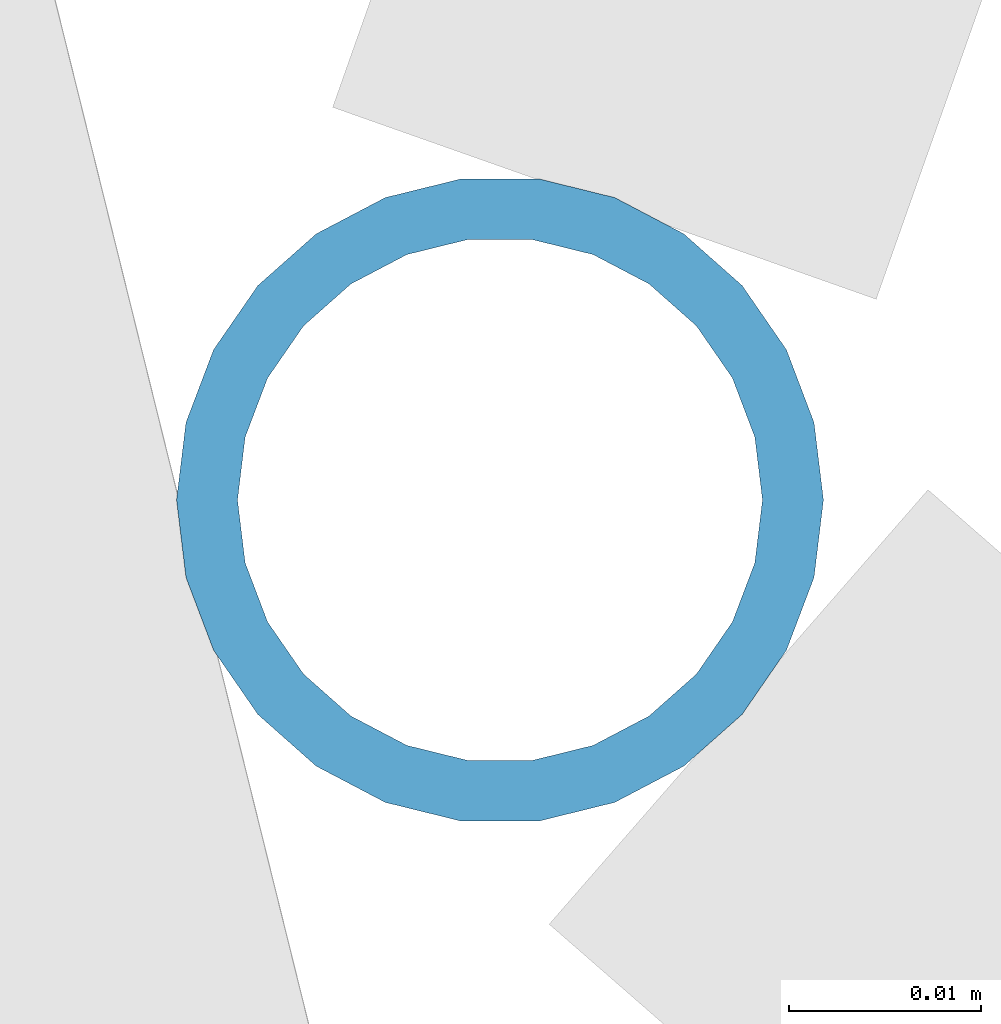
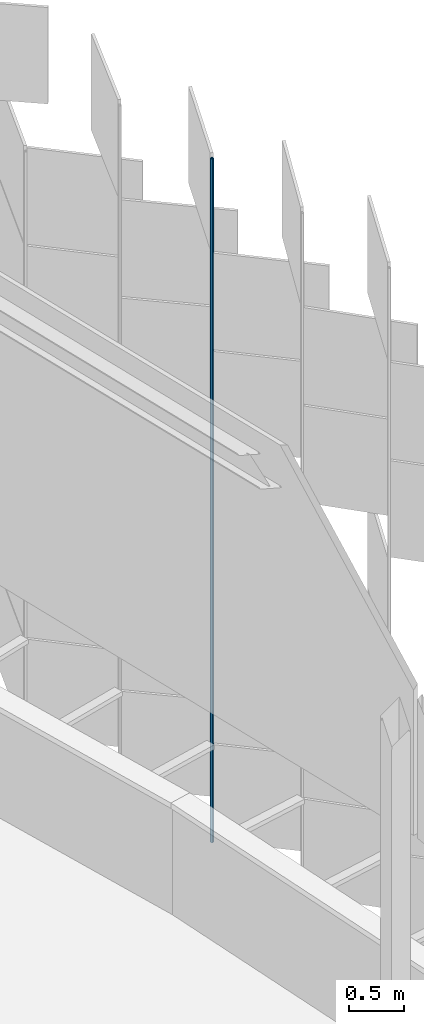
# One storey, part 300 of 483: 1 discrete accessory.
"""IFC4 building model written with IfcOpenShell, lengths in metres."""

from ifc_helpers import new_model, si_unit, direction, frame, origin, origin_2d, place, context, subcontext, project, spatial, hollow_circle, extrude, material, material_profile, profile_set, type_object, element, save


model = new_model("IFC4")

# Units and contexts
model_context = context("Model", 3, precision=1e-05, world=origin(), true_north=direction((0.0, 1.0)))
body_context = subcontext(model_context, "Body", "Model", "MODEL_VIEW")
ifc_project = project(units=[si_unit("LENGTHUNIT", "METRE"), si_unit("AREAUNIT", "SQUARE_METRE"), si_unit("VOLUMEUNIT", "CUBIC_METRE"), si_unit("PLANEANGLEUNIT", "RADIAN"), si_unit("MASSUNIT", "GRAM", prefix="KILO")], contexts=[model_context])

# Site, building, storey
site_placement = place(None, origin())
site = spatial("IfcSite", under=ifc_project, at=site_placement, CompositionType="ELEMENT")
building_placement = place(site_placement, origin())
building = spatial("IfcBuilding", under=site, at=building_placement, Name="Parallax Yard Mobility Hub", CompositionType="ELEMENT")
storey_placement = place(building_placement, frame((0.0, 0.0, 13.199951171875)))
storey = spatial("IfcBuildingStorey", under=building, at=storey_placement, Name="L04", CompositionType="ELEMENT", Elevation=13.199951171875)

# Discrete accessory
ifc_material = material(Name="Steel ASTM A500 Gr C, hot-dip galvanised", Category="steel")
ifc_material_profile = material_profile(ifc_material, hollow_circle(Radius=0.016845703125, WallThickness=0.003173828125, at=origin_2d()), Name="CHS 33.7x3.2")
ifc_profile_set = profile_set([ifc_material_profile], Name="Steel ASTM A500 Gr C, hot-dip galvanised")
discrete_accessory_type = type_object("IfcDiscreteAccessoryType", Name="Hinge post CHS 33.7x3.2", PredefinedType="BRACKET", material=ifc_profile_set)
discrete_accessory_placement = place(storey_placement, frame((224.203125, 103.026123046875, 0.0), z_axis=(0.0, 0.0, 1.0), x_axis=(1.0, 0.0, 0.0)))
element("IfcDiscreteAccessory", 1, at=discrete_accessory_placement, inside=storey, type_object=discrete_accessory_type, Name="Hinge post bay 42.5 level L04", PredefinedType="BRACKET", context=body_context, shape_type="SweptSolid", body=[
    extrude(hollow_circle(Radius=0.016845703125, WallThickness=0.003173828125, at=origin_2d()), origin(), (0.0, 0.0, 1.0), 7.650146484375),
])

save(model, "model.ifc")
